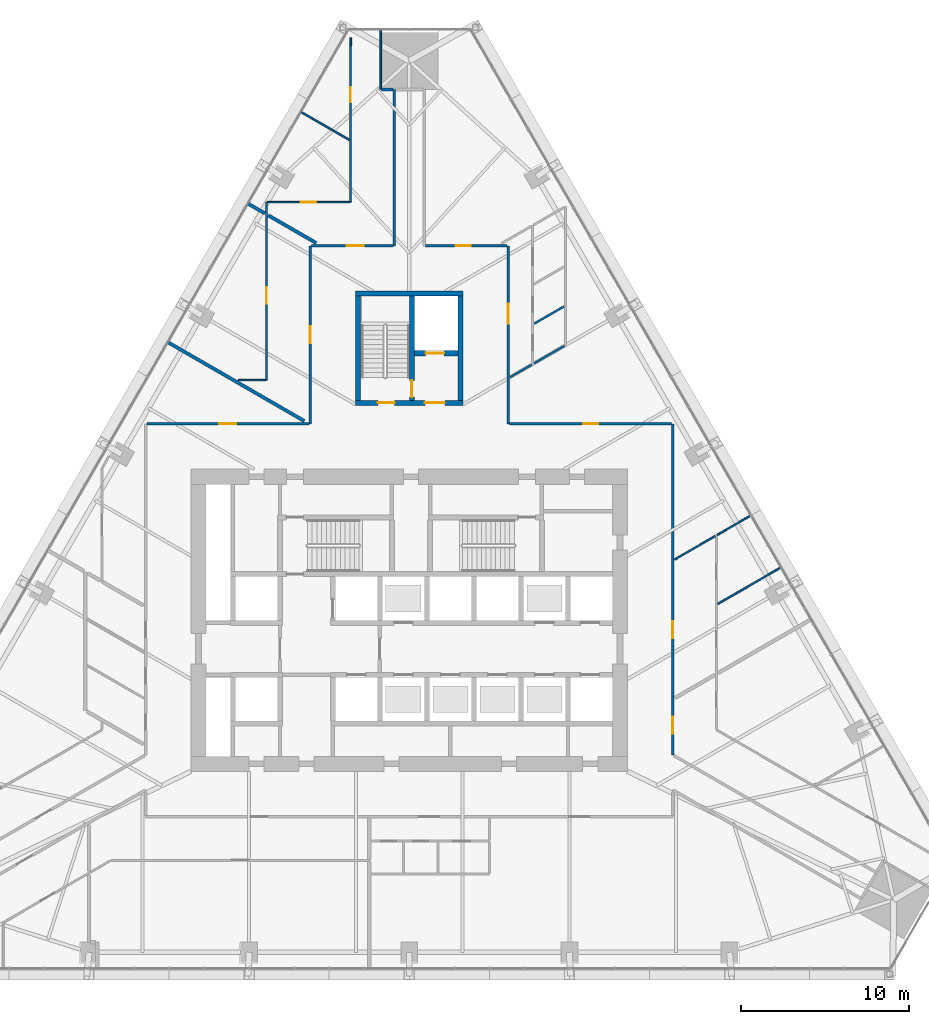
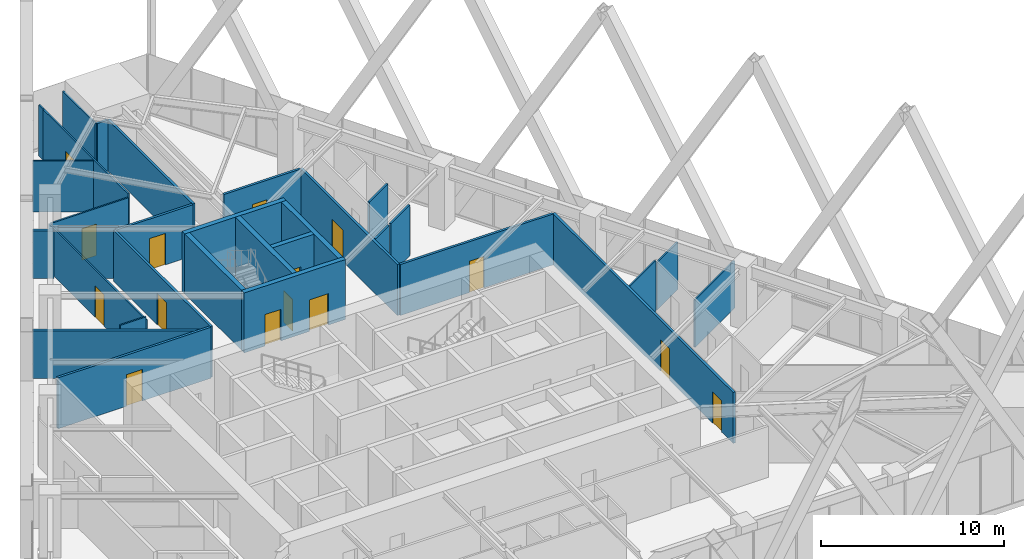
# One storey, part 20 of 23: 31 walls, 15 doors, 15 openings.
"""IFC4 building model written with IfcOpenShell, lengths in metres."""

from ifc_helpers import new_model, si_unit, direction, frame, frame_2d, origin, place, context, subcontext, project, spatial, rectangle, extrude, material, layer, layer_set, type_object, element, fill, save


model = new_model("IFC4")

# Units and contexts
model_context = context("Model", 3, precision=1e-05, world=origin(), true_north=direction((0.0, 1.0)))
body_context = subcontext(model_context, "Body", "Model", "MODEL_VIEW")
ifc_project = project(units=[si_unit("LENGTHUNIT", "METRE"), si_unit("AREAUNIT", "SQUARE_METRE"), si_unit("VOLUMEUNIT", "CUBIC_METRE"), si_unit("PLANEANGLEUNIT", "RADIAN"), si_unit("MASSUNIT", "GRAM", prefix="KILO")], contexts=[model_context])

# Site, building, storey
site_placement = place(None, origin())
site = spatial("IfcSite", under=ifc_project, at=site_placement, CompositionType="ELEMENT")
building_placement = place(site_placement, origin())
building = spatial("IfcBuilding", under=site, at=building_placement, Name="Firuza Gate Tower and Library", CompositionType="ELEMENT")
storey_placement = place(building_placement, frame((0.0, 0.0, 56.800048828125)))
storey = spatial("IfcBuildingStorey", under=building, at=storey_placement, Name="L12", CompositionType="ELEMENT", Elevation=56.800048828125)

# Wall, openings, doors
ifc_material_1 = material(Name="Concrete C80/95", Category="concrete")
ifc_layer_1 = layer(ifc_material_1, 0.300048828125)
ifc_layer_set_1 = layer_set([ifc_layer_1], Name="Core wall 300 C80/95")
wall_type_1 = type_object("IfcWallType", Name="Core wall 300 C80/95", PredefinedType="SHEAR", material=ifc_layer_set_1)
wall_1_placement = place(storey_placement, frame((71.800048828125, 87.949951171875, 0.0), z_axis=(0.0, 0.0, 1.0), x_axis=(1.0, 0.0, 0.0)))
wall_1 = element("IfcWall", 1, at=wall_1_placement, inside=storey, type_object=wall_type_1, Name="Core wall L12 34", PredefinedType="SHEAR", context=body_context, shape_type="SweptSolid", body=[
    extrude(rectangle(XDim=6.39990234375, YDim=0.300048828125, at=frame_2d((3.199951171875, 0.0))), origin(), (0.0, 0.0, 1.0), 4.0),
])
opening_1_placement = place(wall_1_placement, frame((1.324951171875, 0.0, 0.0)))
opening_1 = element("IfcOpeningElement", 2, at=opening_1_placement, cuts=wall_1, Name="Opening L12-K17", PredefinedType="OPENING", context=body_context, shape_type="SweptSolid", body=[
    extrude(rectangle(XDim=1.0, YDim=2.10009765625, at=frame_2d((0.5, 1.050048828125))), frame((0.0, 0.16015625, 0.0), z_axis=(0.0, -1.0, 0.0), x_axis=(1.0, 0.0, 0.0)), (0.0, 0.0, 1.0), 0.320068359375),
])
opening_2_placement = place(wall_1_placement, frame((4.125, 0.0, 0.0)))
opening_2 = element("IfcOpeningElement", 3, at=opening_2_placement, cuts=wall_1, Name="Opening L12-K19", PredefinedType="OPENING", context=body_context, shape_type="SweptSolid", body=[
    extrude(rectangle(XDim=1.199951171875, YDim=2.10009765625, at=frame_2d((0.60009765625, 1.050048828125))), frame((0.0, 0.16015625, 0.0), z_axis=(0.0, -1.0, 0.0), x_axis=(1.0, 0.0, 0.0)), (0.0, 0.0, 1.0), 0.320068359375),
])
ifc_material_2 = material(Name="Steel", Category="steel")
door_type_1 = type_object("IfcDoorType", Name="Fire door 1000x2100 FD90", OperationType="NOTDEFINED", PredefinedType="DOOR", material=ifc_material_2)
door_1_placement = place(opening_1_placement, origin())
door_1 = element("IfcDoor", 4, at=door_1_placement, inside=storey, type_object=door_type_1, Name="Door L12-K17", OperationType="SINGLE_SWING_RIGHT", OverallHeight=2.10009765625, OverallWidth=1.0, PredefinedType="DOOR", context=body_context, shape_type="SweptSolid", body=[
    extrude(rectangle(XDim=1.0, YDim=2.10009765625, at=frame_2d((0.5, 1.050048828125))), frame((0.0, 0.02490234375, 0.0), z_axis=(0.0, -1.0, 0.0), x_axis=(1.0, 0.0, 0.0)), (0.0, 0.0, 1.0), 0.050048828125),
])
fill(opening_1, door_1)
ifc_material_3 = material(Name="Steel", Category="steel")
door_type_2 = type_object("IfcDoorType", Name="Fire door 1200x2100 FD30S", OperationType="NOTDEFINED", PredefinedType="DOOR", material=ifc_material_3)
door_2_placement = place(opening_2_placement, origin())
door_2 = element("IfcDoor", 5, at=door_2_placement, inside=storey, type_object=door_type_2, Name="Door L12-K19", OperationType="SINGLE_SWING_RIGHT", OverallHeight=2.10009765625, OverallWidth=1.199951171875, PredefinedType="DOOR", context=body_context, shape_type="SweptSolid", body=[
    extrude(rectangle(XDim=1.199951171875, YDim=2.10009765625, at=frame_2d((0.60009765625, 1.050048828125))), frame((0.0, 0.02490234375, 0.0), z_axis=(0.0, -1.0, 0.0), x_axis=(1.0, 0.0, 0.0)), (0.0, 0.0, 1.0), 0.050048828125),
])
fill(opening_2, door_2)

# Walls
wall_2_placement = place(storey_placement, frame((71.800048828125, 94.449951171875, 0.0), z_axis=(0.0, 0.0, 1.0), x_axis=(1.0, 0.0, 0.0)))
element("IfcWall", 6, at=wall_2_placement, inside=storey, type_object=wall_type_1, Name="Core wall L12 35", PredefinedType="SHEAR", context=body_context, shape_type="SweptSolid", body=[
    extrude(rectangle(XDim=6.39990234375, YDim=0.300048828125, at=frame_2d((3.199951171875, 0.0))), origin(), (0.0, 0.0, 1.0), 4.0),
])
for number, where, z_axis, x_axis, name in (
    (7, (71.949951171875, 88.10009765625, 0.0), (0.0, 0.0, 1.0), (0.0, 1.0, 0.0), "Core wall L12 36"),
    (8, (78.050048828125, 88.10009765625, 0.0), (0.0, 0.0, 1.0), (0.0, 1.0, 0.0), "Core wall L12 37"),
):
    element("IfcWall", number, at=place(storey_placement, frame(where, z_axis=z_axis, x_axis=x_axis)), inside=storey, type_object=wall_type_1, Name=name, PredefinedType="SHEAR", context=body_context, shape_type="SweptSolid", body=[
        extrude(rectangle(XDim=6.199951171875, YDim=0.300048828125, at=frame_2d((3.10009765625, 0.0))), origin(), (0.0, 0.0, 1.0), 4.0),
    ])

# Wall, opening, door
wall_3_placement = place(storey_placement, frame((75.300048828125, 90.89990234375, 0.0), z_axis=(0.0, 0.0, 1.0), x_axis=(1.0, 0.0, 0.0)))
wall_3 = element("IfcWall", 9, at=wall_3_placement, inside=storey, type_object=wall_type_1, Name="Core wall L12 38", PredefinedType="SHEAR", context=body_context, shape_type="SweptSolid", body=[
    extrude(rectangle(XDim=2.599853515625, YDim=0.300048828125, at=frame_2d((1.2998046875, 0.0))), origin(), (0.0, 0.0, 1.0), 4.0),
])
opening_3_placement = place(wall_3_placement, frame((0.675048828125, 0.0, 0.0)))
opening_3 = element("IfcOpeningElement", 10, at=opening_3_placement, cuts=wall_3, Name="Opening LD-SV1-L12", PredefinedType="OPENING", context=body_context, shape_type="SweptSolid", body=[
    extrude(rectangle(XDim=1.10009765625, YDim=2.10009765625, at=frame_2d((0.550048828125, 1.050048828125))), frame((0.0, 0.16015625, 0.0), z_axis=(0.0, -1.0, 0.0), x_axis=(1.0, 0.0, 0.0)), (0.0, 0.0, 1.0), 0.320068359375),
])
ifc_material_4 = material(Name="Stainless steel", Category="steel")
door_type_3 = type_object("IfcDoorType", Name="Lift landing door 1100x2100", OperationType="DOUBLE_DOOR_SLIDING", PredefinedType="DOOR", material=ifc_material_4)
door_3_placement = place(opening_3_placement, origin())
door_3 = element("IfcDoor", 11, at=door_3_placement, inside=storey, type_object=door_type_3, Name="Landing door SV1 L12", OperationType="DOUBLE_DOOR_SLIDING", OverallHeight=2.10009765625, OverallWidth=1.10009765625, PredefinedType="DOOR", context=body_context, shape_type="SweptSolid", body=[
    extrude(rectangle(XDim=1.10009765625, YDim=2.10009765625, at=frame_2d((0.550048828125, 1.050048828125))), frame((0.0, 0.02490234375, 0.0), z_axis=(0.0, -1.0, 0.0), x_axis=(1.0, 0.0, 0.0)), (0.0, 0.0, 1.0), 0.050048828125),
])
fill(opening_3, door_3)

wall_4_placement = place(storey_placement, frame((75.14990234375, 88.10009765625, 0.0), z_axis=(0.0, 0.0, 1.0), x_axis=(0.0, 1.0, 0.0)))
wall_4 = element("IfcWall", 12, at=wall_4_placement, inside=storey, type_object=wall_type_1, Name="Core wall L12 39", PredefinedType="SHEAR", context=body_context, shape_type="SweptSolid", body=[
    extrude(rectangle(XDim=6.199951171875, YDim=0.300048828125, at=frame_2d((3.10009765625, 0.0))), origin(), (0.0, 0.0, 1.0), 4.0),
])
opening_4_placement = place(wall_4_placement, frame((0.18505859375, 0.0, 0.0)))
opening_4 = element("IfcOpeningElement", 13, at=opening_4_placement, cuts=wall_4, Name="Opening L12-K18", PredefinedType="OPENING", context=body_context, shape_type="SweptSolid", body=[
    extrude(rectangle(XDim=1.0, YDim=2.10009765625, at=frame_2d((0.5, 1.050048828125))), frame((0.0, 0.16015625, 0.0), z_axis=(0.0, -1.0, 0.0), x_axis=(1.0, 0.0, 0.0)), (0.0, 0.0, 1.0), 0.320068359375),
])
door_4_placement = place(opening_4_placement, origin())
door_4 = element("IfcDoor", 14, at=door_4_placement, inside=storey, type_object=door_type_1, Name="Door L12-K18", OperationType="SINGLE_SWING_LEFT", OverallHeight=2.10009765625, OverallWidth=1.0, PredefinedType="DOOR", context=body_context, shape_type="SweptSolid", body=[
    extrude(rectangle(XDim=1.0, YDim=2.10009765625, at=frame_2d((0.5, 1.050048828125))), frame((0.0, 0.02490234375, 0.0), z_axis=(0.0, -1.0, 0.0), x_axis=(1.0, 0.0, 0.0)), (0.0, 0.0, 1.0), 0.050048828125),
])
fill(opening_4, door_4)

ifc_material_5 = material(Name="Gypsum board partition")
ifc_layer_2 = layer(ifc_material_5, 0.14990234375)
ifc_layer_set_2 = layer_set([ifc_layer_2], Name="Corridor wall 150 double board on steel studs")
wall_type_2 = type_object("IfcWallType", Name="Corridor wall 150 double board on steel studs", PredefinedType="PARTITIONING", material=ifc_layer_set_2)
wall_5_placement = place(storey_placement, frame((69.02490234375, 86.699951171875, 0.0), z_axis=(0.0, 0.0, 1.0), x_axis=(-1.0, 0.0, 0.0)))
wall_5 = element("IfcWall", 15, at=wall_5_placement, inside=storey, type_object=wall_type_2, Name="f:L12:w005", PredefinedType="PARTITIONING", context=body_context, shape_type="SweptSolid", body=[
    extrude(rectangle(XDim=9.6494140625, YDim=0.14990234375, at=frame_2d((4.82470703125, 0.0))), origin(), (0.0, 0.0, 1.0), 3.39990234375),
])
opening_5_placement = place(wall_5_placement, frame((4.32470703125, 0.0, 0.0)))
opening_5 = element("IfcOpeningElement", 16, at=opening_5_placement, cuts=wall_5, Name="Opening L12-08", PredefinedType="OPENING", context=body_context, shape_type="SweptSolid", body=[
    extrude(rectangle(XDim=1.0, YDim=2.10009765625, at=frame_2d((0.5, 1.050048828125))), frame((0.0, 0.0849609375, 0.0), z_axis=(0.0, -1.0, 0.0), x_axis=(1.0, 0.0, 0.0)), (0.0, 0.0, 1.0), 0.169921875),
])
ifc_material_6 = material(Name="Steel door and timber leaf", Category="steel")
door_type_4 = type_object("IfcDoorType", Name="Fire door 1000 x 2100 steel frame, timber leaf", OperationType="NOTDEFINED", PredefinedType="DOOR", material=ifc_material_6)
door_5_placement = place(opening_5_placement, origin())
door_5 = element("IfcDoor", 17, at=door_5_placement, inside=storey, type_object=door_type_4, Name="f:L12:d008", OperationType="SINGLE_SWING_LEFT", OverallHeight=2.10009765625, OverallWidth=1.0, PredefinedType="DOOR", context=body_context, shape_type="SweptSolid", body=[
    extrude(rectangle(XDim=1.0, YDim=2.10009765625, at=frame_2d((0.5, 1.050048828125))), frame((0.0, 0.02490234375, 0.0), z_axis=(0.0, -1.0, 0.0), x_axis=(1.0, 0.0, 0.0)), (0.0, 0.0, 1.0), 0.050048828125),
])
fill(opening_5, door_5)

wall_6_placement = place(storey_placement, frame((80.97509765625, 86.699951171875, 0.0), z_axis=(0.0, 0.0, 1.0), x_axis=(1.0, 0.0, 0.0)))
wall_6 = element("IfcWall", 18, at=wall_6_placement, inside=storey, type_object=wall_type_2, Name="f:L12:w006", PredefinedType="PARTITIONING", context=body_context, shape_type="SweptSolid", body=[
    extrude(rectangle(XDim=9.6494140625, YDim=0.14990234375, at=frame_2d((4.82470703125, 0.0))), origin(), (0.0, 0.0, 1.0), 3.39990234375),
])
opening_6_placement = place(wall_6_placement, frame((4.374755859375, 0.0, 0.0)))
opening_6 = element("IfcOpeningElement", 19, at=opening_6_placement, cuts=wall_6, Name="Opening L12-09", PredefinedType="OPENING", context=body_context, shape_type="SweptSolid", body=[
    extrude(rectangle(XDim=0.89990234375, YDim=2.10009765625, at=frame_2d((0.449951171875, 1.050048828125))), frame((0.0, 0.0849609375, 0.0), z_axis=(0.0, -1.0, 0.0), x_axis=(1.0, 0.0, 0.0)), (0.0, 0.0, 1.0), 0.169921875),
])
ifc_material_7 = material(Name="Steel door and timber leaf", Category="steel")
door_type_5 = type_object("IfcDoorType", Name="Fire door 900 x 2100 steel frame, timber leaf", OperationType="NOTDEFINED", PredefinedType="DOOR", material=ifc_material_7)
door_6_placement = place(opening_6_placement, origin())
door_6 = element("IfcDoor", 20, at=door_6_placement, inside=storey, type_object=door_type_5, Name="f:L12:d009", OperationType="SINGLE_SWING_RIGHT", OverallHeight=2.10009765625, OverallWidth=0.89990234375, PredefinedType="DOOR", context=body_context, shape_type="SweptSolid", body=[
    extrude(rectangle(XDim=0.89990234375, YDim=2.10009765625, at=frame_2d((0.449951171875, 1.050048828125))), frame((0.0, 0.02490234375, 0.0), z_axis=(0.0, -1.0, 0.0), x_axis=(1.0, 0.0, 0.0)), (0.0, 0.0, 1.0), 0.050048828125),
])
fill(opening_6, door_6)

wall_7_placement = place(storey_placement, frame((69.175048828125, 97.300048828125, 0.0), z_axis=(0.0, 0.0, 1.0), x_axis=(1.0, 0.0, 0.0)))
wall_7 = element("IfcWall", 21, at=wall_7_placement, inside=storey, type_object=wall_type_2, Name="f:L12:w008", PredefinedType="PARTITIONING", context=body_context, shape_type="SweptSolid", body=[
    extrude(rectangle(XDim=4.849853515625, YDim=0.14990234375, at=frame_2d((2.4248046875, 0.0))), origin(), (0.0, 0.0, 1.0), 3.39990234375),
])
opening_7_placement = place(wall_7_placement, frame((2.107421875, 0.0, 0.0)))
opening_7 = element("IfcOpeningElement", 22, at=opening_7_placement, cuts=wall_7, Name="Opening L12-10", PredefinedType="OPENING", context=body_context, shape_type="SweptSolid", body=[
    extrude(rectangle(XDim=1.0, YDim=2.10009765625, at=frame_2d((0.5, 1.050048828125))), frame((0.0, 0.0849609375, 0.0), z_axis=(0.0, -1.0, 0.0), x_axis=(1.0, 0.0, 0.0)), (0.0, 0.0, 1.0), 0.169921875),
])
door_7_placement = place(opening_7_placement, origin())
door_7 = element("IfcDoor", 23, at=door_7_placement, inside=storey, type_object=door_type_4, Name="f:L12:d010", OperationType="SINGLE_SWING_RIGHT", OverallHeight=2.10009765625, OverallWidth=1.0, PredefinedType="DOOR", context=body_context, shape_type="SweptSolid", body=[
    extrude(rectangle(XDim=1.0, YDim=2.10009765625, at=frame_2d((0.5, 1.050048828125))), frame((0.0, 0.02490234375, 0.0), z_axis=(0.0, -1.0, 0.0), x_axis=(1.0, 0.0, 0.0)), (0.0, 0.0, 1.0), 0.050048828125),
])
fill(opening_7, door_7)

wall_8_placement = place(storey_placement, frame((75.97509765625, 97.300048828125, 0.0), z_axis=(0.0, 0.0, 1.0), x_axis=(1.0, 0.0, 0.0)))
wall_8 = element("IfcWall", 24, at=wall_8_placement, inside=storey, type_object=wall_type_2, Name="f:L12:w009", PredefinedType="PARTITIONING", context=body_context, shape_type="SweptSolid", body=[
    extrude(rectangle(XDim=4.849853515625, YDim=0.14990234375, at=frame_2d((2.4248046875, 0.0))), origin(), (0.0, 0.0, 1.0), 3.39990234375),
])
opening_8_placement = place(wall_8_placement, frame((1.79248046875, 0.0, 0.0)))
opening_8 = element("IfcOpeningElement", 25, at=opening_8_placement, cuts=wall_8, Name="Opening L12-11", PredefinedType="OPENING", context=body_context, shape_type="SweptSolid", body=[
    extrude(rectangle(XDim=0.89990234375, YDim=2.10009765625, at=frame_2d((0.449951171875, 1.050048828125))), frame((0.0, 0.0849609375, 0.0), z_axis=(0.0, -1.0, 0.0), x_axis=(1.0, 0.0, 0.0)), (0.0, 0.0, 1.0), 0.169921875),
])
door_8_placement = place(opening_8_placement, origin())
door_8 = element("IfcDoor", 26, at=door_8_placement, inside=storey, type_object=door_type_5, Name="f:L12:d011", OperationType="SINGLE_SWING_LEFT", OverallHeight=2.10009765625, OverallWidth=0.89990234375, PredefinedType="DOOR", context=body_context, shape_type="SweptSolid", body=[
    extrude(rectangle(XDim=0.89990234375, YDim=2.10009765625, at=frame_2d((0.449951171875, 1.050048828125))), frame((0.0, 0.02490234375, 0.0), z_axis=(0.0, -1.0, 0.0), x_axis=(1.0, 0.0, 0.0)), (0.0, 0.0, 1.0), 0.050048828125),
])
fill(opening_8, door_8)

# Wall
wall_9_placement = place(storey_placement, frame((73.3505859375, 106.60693359375, 0.0), z_axis=(0.0, 0.0, 1.0), x_axis=(1.0, 0.0, 0.0)))
element("IfcWall", 27, at=wall_9_placement, inside=storey, type_object=wall_type_2, Name="f:L12:w011", PredefinedType="PARTITIONING", context=body_context, shape_type="SweptSolid", body=[
    extrude(rectangle(XDim=0.67431640625, YDim=0.14990234375, at=frame_2d((0.337158203125, 0.0))), origin(), (0.0, 0.0, 1.0), 3.39990234375),
])

# Wall, openings, doors
wall_10_placement = place(storey_placement, frame((90.699951171875, 86.699462890625, 0.0), z_axis=(0.0, 0.0, 1.0), x_axis=(0.0, -1.0, 0.0)))
wall_10 = element("IfcWall", 28, at=wall_10_placement, inside=storey, type_object=wall_type_2, Name="f:L12:w030", PredefinedType="PARTITIONING", context=body_context, shape_type="SweptSolid", body=[
    extrude(rectangle(XDim=19.724609375, YDim=0.14990234375, at=frame_2d((9.8623046875, 0.0))), origin(), (0.0, 0.0, 1.0), 3.39990234375),
])
opening_9_placement = place(wall_10_placement, frame((11.76806640625, 0.0, 0.0)))
opening_9 = element("IfcOpeningElement", 29, at=opening_9_placement, cuts=wall_10, Name="Opening L12-20", PredefinedType="OPENING", context=body_context, shape_type="SweptSolid", body=[
    extrude(rectangle(XDim=1.0, YDim=2.10009765625, at=frame_2d((0.5, 1.050048828125))), frame((0.0, 0.0849609375, 0.0), z_axis=(0.0, -1.0, 0.0), x_axis=(1.0, 0.0, 0.0)), (0.0, 0.0, 1.0), 0.169921875),
])
opening_10_placement = place(wall_10_placement, frame((17.458984375, 0.0, 0.0)))
opening_10 = element("IfcOpeningElement", 30, at=opening_10_placement, cuts=wall_10, Name="Opening L12-21", PredefinedType="OPENING", context=body_context, shape_type="SweptSolid", body=[
    extrude(rectangle(XDim=1.0, YDim=2.10009765625, at=frame_2d((0.5, 1.050048828125))), frame((0.0, 0.0849609375, 0.0), z_axis=(0.0, -1.0, 0.0), x_axis=(1.0, 0.0, 0.0)), (0.0, 0.0, 1.0), 0.169921875),
])
door_9_placement = place(opening_9_placement, origin())
door_9 = element("IfcDoor", 31, at=door_9_placement, inside=storey, type_object=door_type_4, Name="f:L12:d020", OperationType="SINGLE_SWING_RIGHT", OverallHeight=2.10009765625, OverallWidth=1.0, PredefinedType="DOOR", context=body_context, shape_type="SweptSolid", body=[
    extrude(rectangle(XDim=1.0, YDim=2.10009765625, at=frame_2d((0.5, 1.050048828125))), frame((0.0, 0.02490234375, 0.0), z_axis=(0.0, -1.0, 0.0), x_axis=(1.0, 0.0, 0.0)), (0.0, 0.0, 1.0), 0.050048828125),
])
fill(opening_9, door_9)
door_10_placement = place(opening_10_placement, origin())
door_10 = element("IfcDoor", 32, at=door_10_placement, inside=storey, type_object=door_type_4, Name="f:L12:d021", OperationType="SINGLE_SWING_LEFT", OverallHeight=2.10009765625, OverallWidth=1.0, PredefinedType="DOOR", context=body_context, shape_type="SweptSolid", body=[
    extrude(rectangle(XDim=1.0, YDim=2.10009765625, at=frame_2d((0.5, 1.050048828125))), frame((0.0, 0.02490234375, 0.0), z_axis=(0.0, -1.0, 0.0), x_axis=(1.0, 0.0, 0.0)), (0.0, 0.0, 1.0), 0.050048828125),
])
fill(opening_10, door_10)

# Wall, opening, door
wall_11_placement = place(storey_placement, frame((80.89990234375, 97.300048828125, 0.0), z_axis=(0.0, 0.0, 1.0), x_axis=(0.0, -1.0, 0.0)))
wall_11 = element("IfcWall", 33, at=wall_11_placement, inside=storey, type_object=wall_type_2, Name="f:L12:w033", PredefinedType="PARTITIONING", context=body_context, shape_type="SweptSolid", body=[
    extrude(rectangle(XDim=10.60009765625, YDim=0.14990234375, at=frame_2d((5.300048828125, 0.0))), origin(), (0.0, 0.0, 1.0), 3.39990234375),
])
opening_11_placement = place(wall_11_placement, frame((3.443603515625, 0.0, 0.0)))
opening_11 = element("IfcOpeningElement", 34, at=opening_11_placement, cuts=wall_11, Name="Opening L12-25", PredefinedType="OPENING", context=body_context, shape_type="SweptSolid", body=[
    extrude(rectangle(XDim=1.199951171875, YDim=2.10009765625, at=frame_2d((0.60009765625, 1.050048828125))), frame((0.0, 0.0849609375, 0.0), z_axis=(0.0, -1.0, 0.0), x_axis=(1.0, 0.0, 0.0)), (0.0, 0.0, 1.0), 0.169921875),
])
ifc_material_8 = material(Name="Steel door and timber leaf", Category="steel")
door_type_6 = type_object("IfcDoorType", Name="Fire door 1200 x 2100 steel frame, double leaf", OperationType="NOTDEFINED", PredefinedType="DOOR", material=ifc_material_8)
door_11_placement = place(opening_11_placement, origin())
door_11 = element("IfcDoor", 35, at=door_11_placement, inside=storey, type_object=door_type_6, Name="f:L12:d025", OperationType="DOUBLE_DOOR_SINGLE_SWING", OverallHeight=2.10009765625, OverallWidth=1.199951171875, PredefinedType="DOOR", context=body_context, shape_type="SweptSolid", body=[
    extrude(rectangle(XDim=1.199951171875, YDim=2.10009765625, at=frame_2d((0.60009765625, 1.050048828125))), frame((0.0, 0.02490234375, 0.0), z_axis=(0.0, -1.0, 0.0), x_axis=(1.0, 0.0, 0.0)), (0.0, 0.0, 1.0), 0.050048828125),
])
fill(opening_11, door_11)

# Wall
wall_12_placement = place(storey_placement, frame((74.10009765625, 97.300048828125, 0.0), z_axis=(0.0, 0.0, 1.0), x_axis=(0.0, 1.0, 0.0)))
element("IfcWall", 36, at=wall_12_placement, inside=storey, type_object=wall_type_2, Name="f:L12:w038", PredefinedType="PARTITIONING", context=body_context, shape_type="SweptSolid", body=[
    extrude(rectangle(XDim=9.306640625, YDim=0.14990234375, at=frame_2d((4.6533203125, 0.0))), origin(), (0.0, 0.0, 1.0), 3.39990234375),
])

# Wall, opening, door
wall_13_placement = place(storey_placement, frame((69.10009765625, 86.699951171875, 0.0), z_axis=(0.0, 0.0, 1.0), x_axis=(0.0, 1.0, 0.0)))
wall_13 = element("IfcWall", 37, at=wall_13_placement, inside=storey, type_object=wall_type_2, Name="f:L12:w043", PredefinedType="PARTITIONING", context=body_context, shape_type="SweptSolid", body=[
    extrude(rectangle(XDim=10.60009765625, YDim=0.14990234375, at=frame_2d((5.300048828125, 0.0))), origin(), (0.0, 0.0, 1.0), 3.39990234375),
])
opening_12_placement = place(wall_13_placement, frame((4.800048828125, 0.0, 0.0)))
opening_12 = element("IfcOpeningElement", 38, at=opening_12_placement, cuts=wall_13, Name="Opening L12-27", PredefinedType="OPENING", context=body_context, shape_type="SweptSolid", body=[
    extrude(rectangle(XDim=1.0, YDim=2.10009765625, at=frame_2d((0.5, 1.050048828125))), frame((0.0, 0.0849609375, 0.0), z_axis=(0.0, -1.0, 0.0), x_axis=(1.0, 0.0, 0.0)), (0.0, 0.0, 1.0), 0.169921875),
])
door_12_placement = place(opening_12_placement, origin())
door_12 = element("IfcDoor", 39, at=door_12_placement, inside=storey, type_object=door_type_4, Name="f:L12:d027", OperationType="SINGLE_SWING_RIGHT", OverallHeight=2.10009765625, OverallWidth=1.0, PredefinedType="DOOR", context=body_context, shape_type="SweptSolid", body=[
    extrude(rectangle(XDim=1.0, YDim=2.10009765625, at=frame_2d((0.5, 1.050048828125))), frame((0.0, 0.02490234375, 0.0), z_axis=(0.0, -1.0, 0.0), x_axis=(1.0, 0.0, 0.0)), (0.0, 0.0, 1.0), 0.050048828125),
])
fill(opening_12, door_12)

# Walls
ifc_material_9 = material(Name="Gypsum board partition")
ifc_layer_3 = layer(ifc_material_9, 0.199951171875)
ifc_layer_set_3 = layer_set([ifc_layer_3], Name="Demising wall 200 acoustic double stud")
wall_type_3 = type_object("IfcWallType", Name="Demising wall 200 acoustic double stud", PredefinedType="PARTITIONING", material=ifc_layer_set_3)
wall_14_placement = place(storey_placement, frame((69.4599609375, 97.46484375, 0.0), z_axis=(0.0, 0.0, 1.0), x_axis=(-0.866027998537, 0.499995505729, 0.0)))
element("IfcWall", 40, at=wall_14_placement, inside=storey, type_object=wall_type_3, Name="f:L12:w055", PredefinedType="PARTITIONING", context=body_context, shape_type="SweptSolid", body=[
    extrude(rectangle(XDim=3.30224609375, YDim=0.199951171875, at=frame_2d((1.651123046875, 0.0))), origin(), (0.0, 0.0, 1.0), 3.39990234375),
])
wall_15_placement = place(storey_placement, frame((68.7509765625, 86.865234375, 0.0), z_axis=(0.0, 0.0, 1.0), x_axis=(-0.8660257632, 0.499999377474, 0.0)))
element("IfcWall", 41, at=wall_15_placement, inside=storey, type_object=wall_type_3, Name="f:L12:w056", PredefinedType="PARTITIONING", context=body_context, shape_type="SweptSolid", body=[
    extrude(rectangle(XDim=9.38671875, YDim=0.199951171875, at=frame_2d((4.693359375, 0.0))), origin(), (0.0, 0.0, 1.0), 3.1650390625),
])
wall_16_placement = place(storey_placement, frame((66.39990234375, 99.2314453125, 0.0), z_axis=(0.0, 0.0, 1.0), x_axis=(-0.86600796803, 0.500030198396, 0.0)))
element("IfcWall", 42, at=wall_16_placement, inside=storey, type_object=wall_type_3, Name="f:L12:w076", PredefinedType="PARTITIONING", context=body_context, shape_type="SweptSolid", body=[
    extrude(rectangle(XDim=1.16748046875, YDim=0.199951171875, at=frame_2d((0.583740234375, 0.0))), origin(), (0.0, 0.0, 1.0), 3.1650390625),
])
ifc_material_10 = material(Name="Gypsum board partition")
ifc_layer_4 = layer(ifc_material_10, 0.10009765625)
ifc_layer_set_4 = layer_set([ifc_layer_4], Name="Partition 100 gypsum board on steel studs")
wall_type_4 = type_object("IfcWallType", Name="Partition 100 gypsum board on steel studs", PredefinedType="PARTITIONING", material=ifc_layer_set_4)
wall_17_placement = place(storey_placement, frame((64.8232421875, 89.300048828125, 0.0), z_axis=(0.0, 0.0, 1.0), x_axis=(1.0, 0.0, 0.0)))
element("IfcWall", 43, at=wall_17_placement, inside=storey, type_object=wall_type_4, Name="f:L12:w007", PredefinedType="PARTITIONING", context=body_context, shape_type="SweptSolid", body=[
    extrude(rectangle(XDim=1.626708984375, YDim=0.10009765625, at=frame_2d((0.8134765625, 0.0))), origin(), (0.0, 0.0, 1.0), 3.39990234375),
])

# Wall, opening, door
wall_18_placement = place(storey_placement, frame((66.550537109375, 99.89990234375, 0.0), z_axis=(0.0, 0.0, 1.0), x_axis=(1.0, 0.0, 0.0)))
wall_18 = element("IfcWall", 44, at=wall_18_placement, inside=storey, type_object=wall_type_4, Name="f:L12:w010", PredefinedType="PARTITIONING", context=body_context, shape_type="SweptSolid", body=[
    extrude(rectangle(XDim=4.8994140625, YDim=0.10009765625, at=frame_2d((2.44970703125, 0.0))), origin(), (0.0, 0.0, 1.0), 3.1650390625),
])
opening_13_placement = place(wall_18_placement, frame((1.999755859375, 0.0, 0.0)))
opening_13 = element("IfcOpeningElement", 45, at=opening_13_placement, cuts=wall_18, Name="Opening L12-12", PredefinedType="OPENING", context=body_context, shape_type="SweptSolid", body=[
    extrude(rectangle(XDim=0.89990234375, YDim=2.10009765625, at=frame_2d((0.449951171875, 1.050048828125))), frame((0.0, 0.06005859375, 0.0), z_axis=(0.0, -1.0, 0.0), x_axis=(1.0, 0.0, 0.0)), (0.0, 0.0, 1.0), 0.1201171875),
])
ifc_material_11 = material(Name="Timber door", Category="wood")
door_type_7 = type_object("IfcDoorType", Name="Door 900 x 2100 timber leaf", OperationType="NOTDEFINED", PredefinedType="DOOR", material=ifc_material_11)
door_13_placement = place(opening_13_placement, origin())
door_13 = element("IfcDoor", 46, at=door_13_placement, inside=storey, type_object=door_type_7, Name="f:L12:d012", OperationType="SINGLE_SWING_RIGHT", OverallHeight=2.10009765625, OverallWidth=0.89990234375, PredefinedType="DOOR", context=body_context, shape_type="SweptSolid", body=[
    extrude(rectangle(XDim=0.89990234375, YDim=2.10009765625, at=frame_2d((0.449951171875, 1.050048828125))), frame((0.0, 0.02490234375, 0.0), z_axis=(0.0, -1.0, 0.0), x_axis=(1.0, 0.0, 0.0)), (0.0, 0.0, 1.0), 0.050048828125),
])
fill(opening_13, door_13)

# Walls
wall_19_placement = place(storey_placement, frame((93.376220703125, 75.975830078125, 0.0), z_axis=(0.0, 0.0, 1.0), x_axis=(0.866006192811, 0.500033272906, 0.0)))
element("IfcWall", 47, at=wall_19_placement, inside=storey, type_object=wall_type_4, Name="f:L12:w014", PredefinedType="PARTITIONING", context=body_context, shape_type="SweptSolid", body=[
    extrude(rectangle(XDim=4.328857421875, YDim=0.10009765625, at=frame_2d((2.16455078125, 0.0))), origin(), (0.0, 0.0, 1.0), 3.1650390625),
])
wall_20_placement = place(storey_placement, frame((90.80078125, 78.6181640625, 0.0), z_axis=(0.0, 0.0, 1.0), x_axis=(0.866028733576, 0.499994232587, 0.0)))
element("IfcWall", 48, at=wall_20_placement, inside=storey, type_object=wall_type_4, Name="f:L12:w015", PredefinedType="PARTITIONING", context=body_context, shape_type="SweptSolid", body=[
    extrude(rectangle(XDim=2.79931640625, YDim=0.10009765625, at=frame_2d((1.399658203125, 0.0))), origin(), (0.0, 0.0, 1.0), 3.39990234375),
])
wall_21_placement = place(storey_placement, frame((73.300048828125, 106.607177734375, 0.0), z_axis=(0.0, 0.0, 1.0), x_axis=(0.0, 1.0, 0.0)))
element("IfcWall", 49, at=wall_21_placement, inside=storey, type_object=wall_type_4, Name="f:L12:w039", PredefinedType="PARTITIONING", context=body_context, shape_type="SweptSolid", body=[
    extrude(rectangle(XDim=3.5595703125, YDim=0.10009765625, at=frame_2d((1.77978515625, 0.0))), origin(), (0.0, 0.0, 1.0), 3.39990234375),
])
wall_22_placement = place(storey_placement, frame((71.51904296875, 109.206787109375, 0.0), z_axis=(0.0, 0.0, 1.0), x_axis=(0.0, 1.0, 0.0)))
element("IfcWall", 50, at=wall_22_placement, inside=storey, type_object=wall_type_4, Name="f:L12:w041", PredefinedType="PARTITIONING", context=body_context, shape_type="SweptSolid", body=[
    extrude(rectangle(XDim=0.47314453125, YDim=0.10009765625, at=frame_2d((0.236572265625, 0.0))), origin(), (0.0, 0.0, 1.0), 3.39990234375),
])

# Wall, opening, door
wall_23_placement = place(storey_placement, frame((71.5, 109.206298828125, 0.0), z_axis=(0.0, 0.0, 1.0), x_axis=(0.0, -1.0, 0.0)))
wall_23 = element("IfcWall", 51, at=wall_23_placement, inside=storey, type_object=wall_type_4, Name="f:L12:w042", PredefinedType="PARTITIONING", context=body_context, shape_type="SweptSolid", body=[
    extrude(rectangle(XDim=9.306396484375, YDim=0.10009765625, at=frame_2d((4.6533203125, 0.0))), origin(), (0.0, 0.0, 1.0), 3.39990234375),
])
opening_14_placement = place(wall_23_placement, frame((2.471435546875, 0.0, 0.0)))
opening_14 = element("IfcOpeningElement", 52, at=opening_14_placement, cuts=wall_23, Name="Opening L12-26", PredefinedType="OPENING", context=body_context, shape_type="SweptSolid", body=[
    extrude(rectangle(XDim=0.89990234375, YDim=2.10009765625, at=frame_2d((0.449951171875, 1.050048828125))), frame((0.0, 0.06005859375, 0.0), z_axis=(0.0, -1.0, 0.0), x_axis=(1.0, 0.0, 0.0)), (0.0, 0.0, 1.0), 0.1201171875),
])
door_14_placement = place(opening_14_placement, origin())
door_14 = element("IfcDoor", 53, at=door_14_placement, inside=storey, type_object=door_type_7, Name="f:L12:d026", OperationType="SINGLE_SWING_RIGHT", OverallHeight=2.10009765625, OverallWidth=0.89990234375, PredefinedType="DOOR", context=body_context, shape_type="SweptSolid", body=[
    extrude(rectangle(XDim=0.89990234375, YDim=2.10009765625, at=frame_2d((0.449951171875, 1.050048828125))), frame((0.0, 0.02490234375, 0.0), z_axis=(0.0, -1.0, 0.0), x_axis=(1.0, 0.0, 0.0)), (0.0, 0.0, 1.0), 0.050048828125),
])
fill(opening_14, door_14)

wall_24_placement = place(storey_placement, frame((66.5, 99.8994140625, 0.0), z_axis=(0.0, 0.0, 1.0), x_axis=(0.0, -1.0, 0.0)))
wall_24 = element("IfcWall", 54, at=wall_24_placement, inside=storey, type_object=wall_type_4, Name="f:L12:w044", PredefinedType="PARTITIONING", context=body_context, shape_type="SweptSolid", body=[
    extrude(rectangle(XDim=10.599365234375, YDim=0.10009765625, at=frame_2d((5.2998046875, 0.0))), origin(), (0.0, 0.0, 1.0), 3.1650390625),
])
opening_15_placement = place(wall_24_placement, frame((5.0625, 0.0, 0.0)))
opening_15 = element("IfcOpeningElement", 55, at=opening_15_placement, cuts=wall_24, Name="Opening L12-28", PredefinedType="OPENING", context=body_context, shape_type="SweptSolid", body=[
    extrude(rectangle(XDim=1.0, YDim=2.10009765625, at=frame_2d((0.5, 1.050048828125))), frame((0.0, 0.06005859375, 0.0), z_axis=(0.0, -1.0, 0.0), x_axis=(1.0, 0.0, 0.0)), (0.0, 0.0, 1.0), 0.1201171875),
])
ifc_material_12 = material(Name="Timber door", Category="wood")
door_type_8 = type_object("IfcDoorType", Name="Door 1000 x 2100 timber leaf", OperationType="NOTDEFINED", PredefinedType="DOOR", material=ifc_material_12)
door_15_placement = place(opening_15_placement, origin())
door_15 = element("IfcDoor", 56, at=door_15_placement, inside=storey, type_object=door_type_8, Name="f:L12:d028", OperationType="SINGLE_SWING_RIGHT", OverallHeight=2.10009765625, OverallWidth=1.0, PredefinedType="DOOR", context=body_context, shape_type="SweptSolid", body=[
    extrude(rectangle(XDim=1.0, YDim=2.10009765625, at=frame_2d((0.5, 1.050048828125))), frame((0.0, 0.02490234375, 0.0), z_axis=(0.0, -1.0, 0.0), x_axis=(1.0, 0.0, 0.0)), (0.0, 0.0, 1.0), 0.050048828125),
])
fill(opening_15, door_15)

# Walls
wall_25_placement = place(storey_placement, frame((71.423828125, 103.610107421875, 0.0), z_axis=(0.0, 0.0, 1.0), x_axis=(-0.866004823592, 0.500035644245, 0.0)))
element("IfcWall", 57, at=wall_25_placement, inside=storey, type_object=wall_type_4, Name="f:L12:w054", PredefinedType="PARTITIONING", context=body_context, shape_type="SweptSolid", body=[
    extrude(rectangle(XDim=3.328857421875, YDim=0.10009765625, at=frame_2d((1.66455078125, 0.0))), origin(), (0.0, 0.0, 1.0), 3.39990234375),
])
wall_26_placement = place(storey_placement, frame((93.33740234375, 80.082763671875, 0.0), z_axis=(0.0, 0.0, 1.0), x_axis=(0.866028885721, 0.49999396906, 0.0)))
element("IfcWall", 58, at=wall_26_placement, inside=storey, type_object=wall_type_4, Name="f:L12:w070", PredefinedType="PARTITIONING", context=body_context, shape_type="SweptSolid", body=[
    extrude(rectangle(XDim=2.30908203125, YDim=0.10009765625, at=frame_2d((1.154541015625, 0.0))), origin(), (0.0, 0.0, 1.0), 3.1650390625),
])
ifc_material_13 = material(Name="Gypsum board partition")
ifc_layer_5 = layer(ifc_material_13, 0.1201171875)
ifc_layer_set_5 = layer_set([ifc_layer_5], Name="Wet-area partition 120 moisture-resistant board")
wall_type_5 = type_object("IfcWallType", Name="Wet-area partition 120 moisture-resistant board", PredefinedType="PARTITIONING", material=ifc_layer_set_5)
wall_27_placement = place(storey_placement, frame((81.009765625, 89.478759765625, 0.0), z_axis=(0.0, 0.0, 1.0), x_axis=(0.866055123991, 0.49994851956, 0.0)))
element("IfcWall", 59, at=wall_27_placement, inside=storey, type_object=wall_type_5, Name="f:L12:w022", PredefinedType="PARTITIONING", context=body_context, shape_type="SweptSolid", body=[
    extrude(rectangle(XDim=1.495849609375, YDim=0.1201171875, at=frame_2d((0.748046875, 0.0))), origin(), (0.0, 0.0, 1.0), 3.39990234375),
])
wall_28_placement = place(storey_placement, frame((82.44482421875, 92.666259765625, 0.0), z_axis=(0.0, 0.0, 1.0), x_axis=(0.866017611601, 0.500013496215, 0.0)))
element("IfcWall", 60, at=wall_28_placement, inside=storey, type_object=wall_type_5, Name="f:L12:w023", PredefinedType="PARTITIONING", context=body_context, shape_type="SweptSolid", body=[
    extrude(rectangle(XDim=2.033203125, YDim=0.1201171875, at=frame_2d((1.0166015625, 0.0))), origin(), (0.0, 0.0, 1.0), 3.39990234375),
])
wall_29_placement = place(storey_placement, frame((82.43994140625, 90.304443359375, 0.0), z_axis=(0.0, 0.0, 1.0), x_axis=(0.866044773228, 0.499966449638, 0.0)))
element("IfcWall", 61, at=wall_29_placement, inside=storey, type_object=wall_type_5, Name="f:L12:w073", PredefinedType="PARTITIONING", context=body_context, shape_type="SweptSolid", body=[
    extrude(rectangle(XDim=2.078857421875, YDim=0.1201171875, at=frame_2d((1.03955078125, 0.0))), origin(), (0.0, 0.0, 1.0), 3.39990234375),
])

save(model, "model.ifc")
